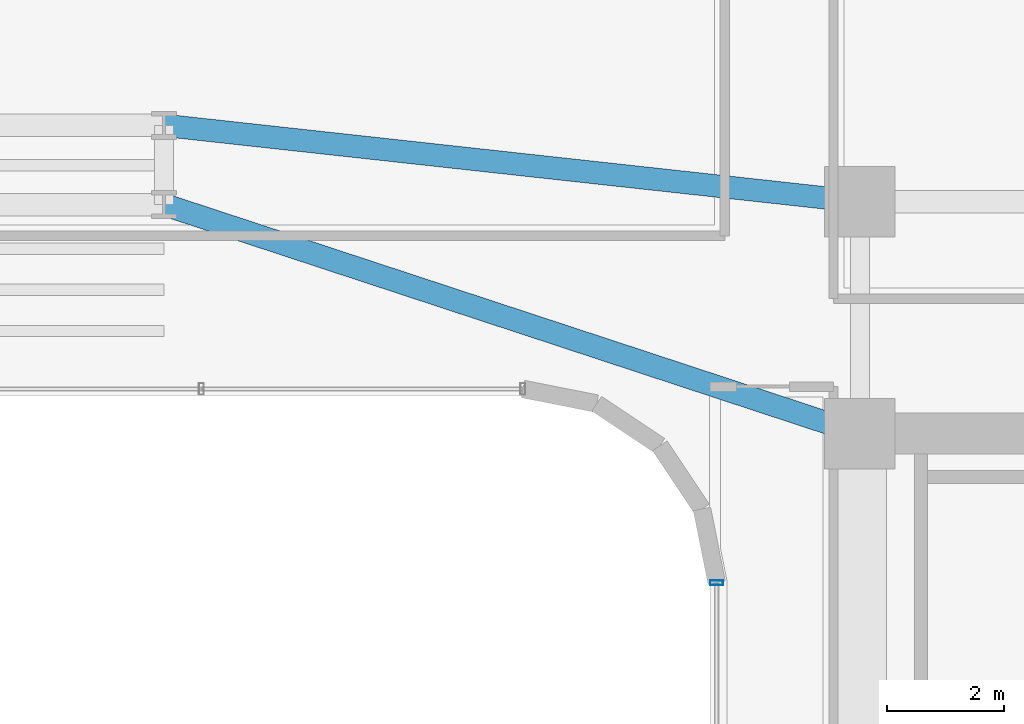
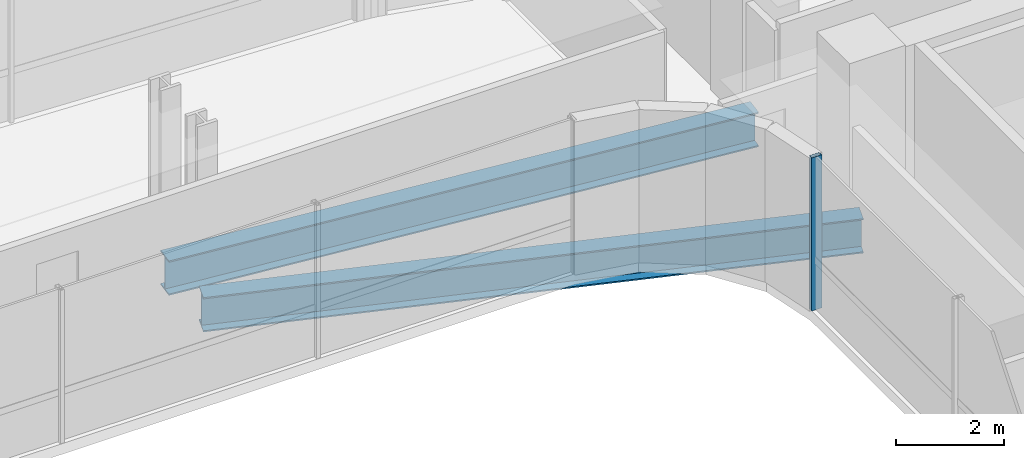
# One storey, part 16 of 34: 2 beams, 1 member, 1 element without a shape of its own.
"""IFC4 building model written with IfcOpenShell, lengths in metres."""

from ifc_helpers import new_model, si_unit, direction, frame, origin, origin_2d, place, context, subcontext, project, spatial, hollow_rectangle, i_section, extrude, source, transform, mapped, material, material_profile, profile_set, type_object, element, aggregate, save


model = new_model("IFC4")

# Units and contexts
model_context = context("Model", 3, precision=1e-05, world=origin(), true_north=direction((0.0, 1.0)))
body_context = subcontext(model_context, "Body", "Model", "MODEL_VIEW")
ifc_project = project(units=[si_unit("LENGTHUNIT", "METRE"), si_unit("AREAUNIT", "SQUARE_METRE"), si_unit("VOLUMEUNIT", "CUBIC_METRE"), si_unit("PLANEANGLEUNIT", "RADIAN"), si_unit("MASSUNIT", "GRAM", prefix="KILO")], contexts=[model_context])

# Site, building, storey
site_placement = place(None, origin())
site = spatial("IfcSite", under=ifc_project, at=site_placement, CompositionType="ELEMENT")
building_placement = place(site_placement, origin())
building = spatial("IfcBuilding", under=site, at=building_placement, Name="Valdorenza Pilgrim Sanctuary Tower", CompositionType="ELEMENT")
storey_placement = place(building_placement, frame((0.0, 0.0, 120.5)))
storey = spatial("IfcBuildingStorey", under=building, at=storey_placement, Name="L30", CompositionType="ELEMENT", Elevation=120.5)

# Beams
ifc_material_1 = material(Name="Steel ASTM A992 Grade 50", Category="steel")
ifc_material_profile_1 = material_profile(ifc_material_1, i_section(OverallWidth=0.382080078125, OverallDepth=0.779052734375, WebThickness=0.01806640625, FlangeThickness=0.030029296875, at=origin_2d()), Name="W30X191")
ifc_profile_set_1 = profile_set([ifc_material_profile_1], Name="Steel ASTM A992 Grade 50")
beam_type = type_object("IfcBeamType", Name="STR-BM-GRD-W30", PredefinedType="BEAM", material=ifc_profile_set_1)
shared_shape_1 = source(origin(), body_context, "Body", "SweptSolid", [
    extrude(i_section(OverallWidth=0.382080078125, OverallDepth=0.779052734375, WebThickness=0.01806640625, FlangeThickness=0.030029296875, at=origin_2d()), origin(), (0.0, 0.0, 1.0), 12.475341796875),
])
beam_1_placement = place(storey_placement, frame((4.0, 13.449951171875, -0.62939453125), z_axis=(0.949881908141, -0.312608957943, 0.0), x_axis=(0.312608957943, 0.949881908141, 0.0)))
element("IfcBeam", 1, at=beam_1_placement, inside=storey, type_object=beam_type, Name="L30 Floor Girder KNK-G3", PredefinedType="BEAM", context=body_context, shape_type="MappedRepresentation", body=[
    mapped(shared_shape_1, transform((0.0, 0.0, 0.0), x_axis=(1.0, 0.0, 0.0), y_axis=(0.0, 1.0, 0.0), z_axis=(0.0, 0.0, 1.0), scale=1.0)),
])
shared_shape_2 = source(origin(), body_context, "Body", "SweptSolid", [
    extrude(i_section(OverallWidth=0.382080078125, OverallDepth=0.779052734375, WebThickness=0.01806640625, FlangeThickness=0.030029296875, at=origin_2d()), origin(), (0.0, 0.0, 1.0), 11.921142578125),
])
beam_2_placement = place(storey_placement, frame((4.0, 14.800048828125, -0.62939453125), z_axis=(0.994035876607, -0.10905354656, 0.0), x_axis=(0.10905354656, 0.994035876607, 0.0)))
element("IfcBeam", 2, at=beam_2_placement, inside=storey, type_object=beam_type, Name="L30 Floor Girder KNK-G6", PredefinedType="BEAM", context=body_context, shape_type="MappedRepresentation", body=[
    mapped(shared_shape_2, transform((0.0, 0.0, 0.0), x_axis=(1.0, 0.0, 0.0), y_axis=(0.0, 1.0, 0.0), z_axis=(0.0, 0.0, 1.0), scale=1.0)),
])

# Curtain wall, member
ifc_material_2 = material(Name="Curtain-wall IGU glazing", Category="glass")
curtain_wall_type = type_object("IfcCurtainWallType", Name="CW-SYS-03", PredefinedType="NOTDEFINED", material=ifc_material_2)
curtain_wall_placement = place(storey_placement, origin())
curtain_wall = element("IfcCurtainWall", 3, at=curtain_wall_placement, inside=storey, type_object=curtain_wall_type, Name="L30 Curtain Wall CW-L30-1-31", PredefinedType="NOTDEFINED")
ifc_material_3 = material(Name="Anodised aluminium AW-6060", Category="aluminium")
ifc_material_profile_2 = material_profile(ifc_material_3, hollow_rectangle(XDim=0.0849609375, YDim=0.219970703125, WallThickness=0.0048828125, at=origin_2d()), Name="ALU-M 220x85x5")
ifc_profile_set_2 = profile_set([ifc_material_profile_2], Name="Anodised aluminium AW-6060")
member_type = type_object("IfcMemberType", Name="CW-MUL-03", PredefinedType="MULLION", material=ifc_profile_set_2)
shared_shape_3 = source(origin(), body_context, "Body", "SweptSolid", [
    extrude(hollow_rectangle(XDim=0.0849609375, YDim=0.219970703125, WallThickness=0.0048828125, at=origin_2d()), origin(), (0.0, 0.0, 1.0), 3.4599609375),
])
member_placement = place(storey_placement, frame((13.409912109375, 7.0107421875, 0.0), z_axis=(0.0, 0.0, 1.0), x_axis=(0.0, 1.0, 0.0)))
member = element("IfcMember", 4, at=member_placement, type_object=member_type, Name="CW-L30-1-31 Mullion 4", PredefinedType="MULLION", context=body_context, shape_type="MappedRepresentation", body=[
    mapped(shared_shape_3, transform((0.0, 0.0, 0.0), x_axis=(1.0, 0.0, 0.0), y_axis=(0.0, 1.0, 0.0), z_axis=(0.0, 0.0, 1.0), scale=1.0)),
])
aggregate(curtain_wall, [member])

save(model, "model.ifc")
